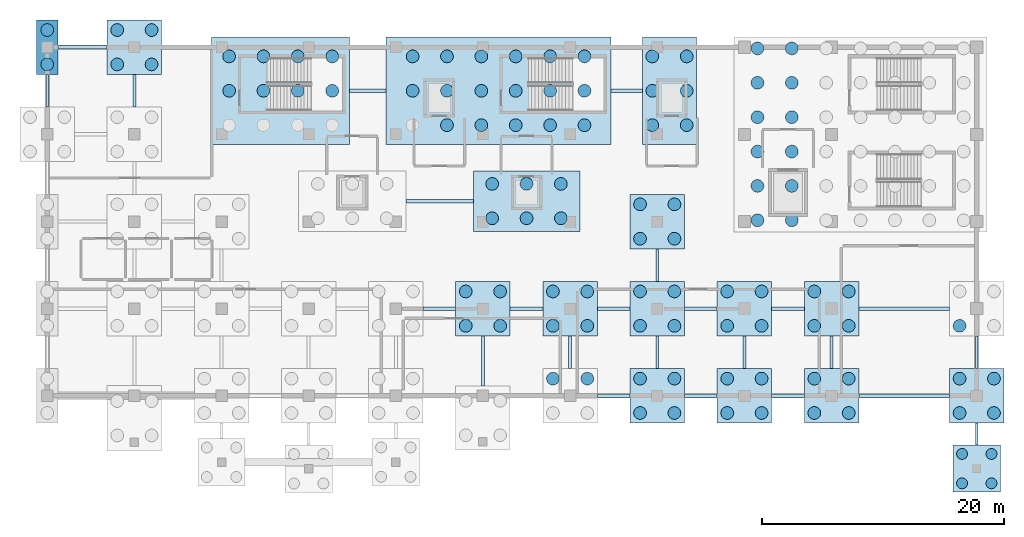
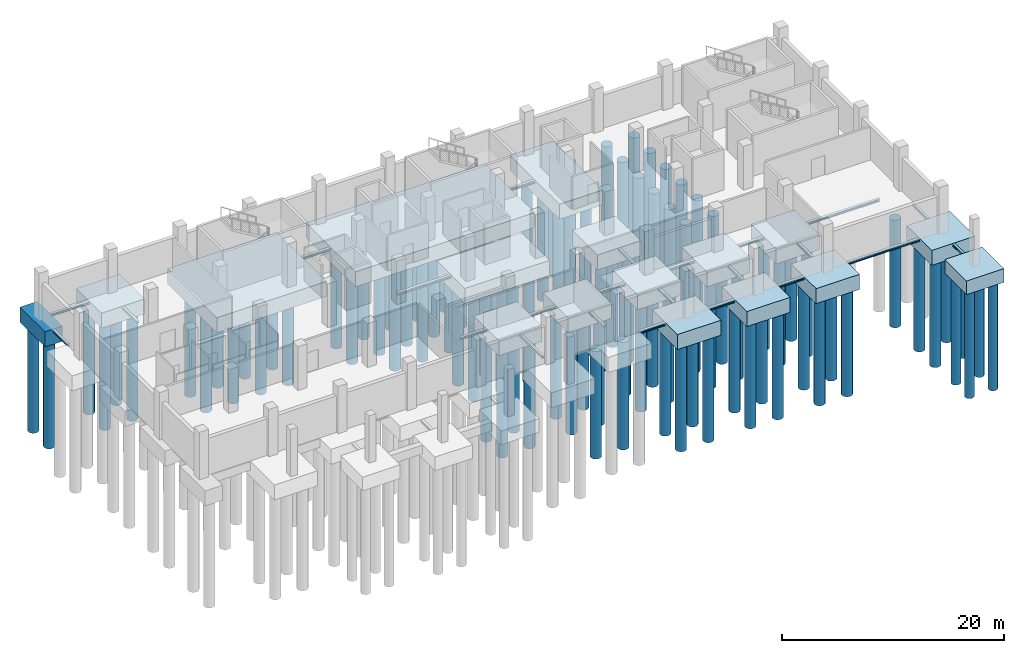
# One storey, part 2 of 10: 102 piles, 41 footings.
"""IFC4 building model written with IfcOpenShell, lengths in metres."""

from ifc_helpers import new_model, si_unit, direction, frame, origin, origin_2d, place, context, subcontext, project, spatial, rectangle, circle, i_section, extrude, material, material_profile, profile_set, type_object, element, save


model = new_model("IFC4")

# Units and contexts
model_context = context("Model", 3, precision=1e-05, world=origin(), true_north=direction((0.0, 1.0)))
body_context = subcontext(model_context, "Body", "Model", "MODEL_VIEW")
ifc_project = project(units=[si_unit("LENGTHUNIT", "METRE"), si_unit("AREAUNIT", "SQUARE_METRE"), si_unit("VOLUMEUNIT", "CUBIC_METRE"), si_unit("PLANEANGLEUNIT", "RADIAN"), si_unit("MASSUNIT", "GRAM", prefix="KILO")], contexts=[model_context])

# Site, building, storey
site_placement = place(None, origin())
site = spatial("IfcSite", under=ifc_project, at=site_placement, CompositionType="ELEMENT")
building_placement = place(site_placement, origin())
building = spatial("IfcBuilding", under=site, at=building_placement, Name="Cendralis Lancet Convention Centre", CompositionType="ELEMENT")
storey_placement = place(building_placement, frame((0.0, 0.0, -4.800048828125)))
storey = spatial("IfcBuildingStorey", under=building, at=storey_placement, Name="B1", CompositionType="ELEMENT", Elevation=-4.800048828125)

# Footings
ifc_material_1 = material(Name="Concrete G35 (C35/45)", Category="concrete")
footing_type_1 = type_object("IfcFootingType", Name="STR-FT-PC01", PredefinedType="PILE_CAP", material=ifc_material_1)
footing_1_placement = place(storey_placement, frame((132.0, 36.0, -2.0498046875), z_axis=(0.0, 0.0, 1.0), x_axis=(1.0, 0.0, 0.0)))
element("IfcFooting", 1, at=footing_1_placement, inside=storey, type_object=footing_type_1, Name="Pile Cap PC-01 #005", PredefinedType="PILE_CAP", context=body_context, shape_type="SweptSolid", body=[
    extrude(rectangle(XDim=1.800048828125, YDim=4.5, at=origin_2d()), origin(), (0.0, 0.0, 1.0), 1.64990234375),
])
footing_type_2 = type_object("IfcFootingType", Name="STR-FT-PC02", PredefinedType="PILE_CAP", material=ifc_material_1)
for number, where, z_axis, x_axis, name in (
    (2, (139.199951171875, 36.0, -2.0498046875), (0.0, 0.0, 1.0), (1.0, 0.0, 0.0), "Pile Cap PC-02 #010"),
    (3, (168.0, 14.39990234375, -2.0498046875), (0.0, 0.0, 1.0), (1.0, 0.0, 0.0), "Pile Cap PC-02 #024"),
    (4, (175.199951171875, 14.39990234375, -2.0498046875), (0.0, 0.0, 1.0), (1.0, 0.0, 0.0), "Pile Cap PC-02 #028"),
    (5, (182.39990234375, 7.199951171875, -2.0498046875), (0.0, 0.0, 1.0), (1.0, 0.0, 0.0), "Pile Cap PC-02 #029"),
    (6, (182.39990234375, 14.39990234375, -2.0498046875), (0.0, 0.0, 1.0), (1.0, 0.0, 0.0), "Pile Cap PC-02 #030"),
    (7, (182.39990234375, 21.60009765625, -2.0498046875), (0.0, 0.0, 1.0), (1.0, 0.0, 0.0), "Pile Cap PC-02 #031"),
    (8, (189.60009765625, 7.199951171875, -2.0498046875), (0.0, 0.0, 1.0), (1.0, 0.0, 0.0), "Pile Cap PC-02 #033"),
    (9, (189.60009765625, 14.39990234375, -2.0498046875), (0.0, 0.0, 1.0), (1.0, 0.0, 0.0), "Pile Cap PC-02 #034"),
    (10, (196.800048828125, 7.199951171875, -2.0498046875), (0.0, 0.0, 1.0), (1.0, 0.0, 0.0), "Pile Cap PC-02 #035"),
    (11, (196.800048828125, 14.39990234375, -2.0498046875), (0.0, 0.0, 1.0), (1.0, 0.0, 0.0), "Pile Cap PC-02 #036"),
    (12, (208.800048828125, 7.199951171875, -2.0498046875), (0.0, 0.0, 1.0), (1.0, 0.0, 0.0), "Pile Cap PC-02 #039"),
):
    element("IfcFooting", number, at=place(storey_placement, frame(where, z_axis=z_axis, x_axis=x_axis)), inside=storey, type_object=footing_type_2, Name=name, PredefinedType="PILE_CAP", context=body_context, shape_type="SweptSolid", body=[
        extrude(rectangle(XDim=4.5, YDim=4.5, at=origin_2d()), origin(), (0.0, 0.0, 1.0), 1.64990234375),
    ])
footing_type_3 = type_object("IfcFootingType", Name="STR-FT-PC04", PredefinedType="PILE_CAP", material=ifc_material_1)
footing_2_placement = place(storey_placement, frame((208.800048828125, 1.183837890625, -1.89990234375), z_axis=(0.0, 0.0, 1.0), x_axis=(1.0, 0.0, 0.0)))
element("IfcFooting", 13, at=footing_2_placement, inside=storey, type_object=footing_type_3, Name="Pile Cap PC-04 #038", PredefinedType="PILE_CAP", context=body_context, shape_type="SweptSolid", body=[
    extrude(rectangle(XDim=3.89990234375, YDim=3.89990234375, at=origin_2d()), origin(), (0.0, 0.0, 1.0), 1.5),
])
footing_type_4 = type_object("IfcFootingType", Name="STR-FT-PC05", PredefinedType="PILE_CAP", material=ifc_material_1)
footing_3_placement = place(storey_placement, frame((151.28759765625, 32.39990234375, -2.0498046875), z_axis=(0.0, 0.0, 1.0), x_axis=(1.0, 0.0, 0.0)))
element("IfcFooting", 14, at=footing_3_placement, inside=storey, type_object=footing_type_4, Name="Pile Cap PC-05 #015", PredefinedType="PILE_CAP", context=body_context, shape_type="SweptSolid", body=[
    extrude(rectangle(XDim=11.39990234375, YDim=8.89990234375, at=origin_2d()), origin(), (0.0, 0.0, 1.0), 1.64990234375),
])
footing_type_5 = type_object("IfcFootingType", Name="STR-FT-PC08", PredefinedType="PILE_CAP", material=ifc_material_1)
footing_4_placement = place(storey_placement, frame((169.28759765625, 32.39990234375, -2.0498046875), z_axis=(0.0, 0.0, 1.0), x_axis=(1.0, 0.0, 0.0)))
element("IfcFooting", 15, at=footing_4_placement, inside=storey, type_object=footing_type_5, Name="Pile Cap PC-08 #025", PredefinedType="PILE_CAP", context=body_context, shape_type="SweptSolid", body=[
    extrude(rectangle(XDim=18.60009765625, YDim=8.89990234375, at=origin_2d()), origin(), (0.0, 0.0, 1.0), 1.64990234375),
])
footing_type_6 = type_object("IfcFootingType", Name="STR-FT-PC09", PredefinedType="PILE_CAP", material=ifc_material_1)
footing_5_placement = place(storey_placement, frame((171.60009765625, 23.28759765625, -2.0498046875), z_axis=(0.0, 0.0, 1.0), x_axis=(1.0, 0.0, 0.0)))
element("IfcFooting", 16, at=footing_5_placement, inside=storey, type_object=footing_type_6, Name="Pile Cap PC-09 #026", PredefinedType="PILE_CAP", context=body_context, shape_type="SweptSolid", body=[
    extrude(rectangle(XDim=8.800048828125, YDim=5.0, at=origin_2d()), origin(), (0.0, 0.0, 1.0), 1.64990234375),
])
footing_type_7 = type_object("IfcFootingType", Name="STR-FT-PC10", PredefinedType="PILE_CAP", material=ifc_material_1)
footing_6_placement = place(storey_placement, frame((183.41259765625, 32.39990234375, -2.0498046875), z_axis=(0.0, 0.0, 1.0), x_axis=(1.0, 0.0, 0.0)))
element("IfcFooting", 17, at=footing_6_placement, inside=storey, type_object=footing_type_7, Name="Pile Cap PC-10 #032", PredefinedType="PILE_CAP", context=body_context, shape_type="SweptSolid", body=[
    extrude(rectangle(XDim=4.5, YDim=8.89990234375, at=origin_2d()), origin(), (0.0, 0.0, 1.0), 1.64990234375),
])
ifc_material_2 = material(Name="Steel S355", Category="steel")
ifc_material_profile_1 = material_profile(ifc_material_2, i_section(OverallWidth=0.280029296875, OverallDepth=0.280029296875, WebThickness=0.010498046875, FlangeThickness=0.01806640625, FilletRadius=0.02392578125, at=origin_2d()), Name="HEB 280")
ifc_profile_set_1 = profile_set([ifc_material_profile_1], Name="Steel S355")
footing_type_8 = type_object("IfcFootingType", Name="STR-GB-GB05", PredefinedType="FOOTING_BEAM", material=ifc_profile_set_1)
footing_7_placement = place(storey_placement, frame((177.449951171875, 7.199951171875, -0.5400390625), z_axis=(1.0, 0.0, 0.0), x_axis=(0.0, 1.0, 0.0)))
element("IfcFooting", 18, at=footing_7_placement, inside=storey, type_object=footing_type_8, Name="Ground Tie Beam GB05 X-006", PredefinedType="FOOTING_BEAM", context=body_context, shape_type="SweptSolid", body=[
    extrude(i_section(OverallWidth=0.280029296875, OverallDepth=0.280029296875, WebThickness=0.010498046875, FlangeThickness=0.01806640625, FilletRadius=0.02392578125, at=origin_2d()), origin(), (0.0, 0.0, 1.0), 2.699951171875),
])
footing_8_placement = place(storey_placement, frame((184.64990234375, 7.199951171875, -0.5400390625), z_axis=(1.0, 0.0, 0.0), x_axis=(0.0, 1.0, 0.0)))
element("IfcFooting", 19, at=footing_8_placement, inside=storey, type_object=footing_type_8, Name="Ground Tie Beam GB05 X-007", PredefinedType="FOOTING_BEAM", context=body_context, shape_type="SweptSolid", body=[
    extrude(i_section(OverallWidth=0.280029296875, OverallDepth=0.280029296875, WebThickness=0.010498046875, FlangeThickness=0.01806640625, FilletRadius=0.02392578125, at=origin_2d()), origin(), (0.0, 0.0, 1.0), 2.7001953125),
])
footing_9_placement = place(storey_placement, frame((191.85009765625, 7.199951171875, -0.5400390625), z_axis=(1.0, 0.0, 0.0), x_axis=(0.0, 1.0, 0.0)))
element("IfcFooting", 20, at=footing_9_placement, inside=storey, type_object=footing_type_8, Name="Ground Tie Beam GB05 X-008", PredefinedType="FOOTING_BEAM", context=body_context, shape_type="SweptSolid", body=[
    extrude(i_section(OverallWidth=0.280029296875, OverallDepth=0.280029296875, WebThickness=0.010498046875, FlangeThickness=0.01806640625, FilletRadius=0.02392578125, at=origin_2d()), origin(), (0.0, 0.0, 1.0), 2.699951171875),
])
footing_10_placement = place(storey_placement, frame((199.050048828125, 7.199951171875, -0.5400390625), z_axis=(1.0, 0.0, 0.0), x_axis=(0.0, 1.0, 0.0)))
element("IfcFooting", 21, at=footing_10_placement, inside=storey, type_object=footing_type_8, Name="Ground Tie Beam GB05 X-009", PredefinedType="FOOTING_BEAM", context=body_context, shape_type="SweptSolid", body=[
    extrude(i_section(OverallWidth=0.280029296875, OverallDepth=0.280029296875, WebThickness=0.010498046875, FlangeThickness=0.01806640625, FilletRadius=0.02392578125, at=origin_2d()), origin(), (0.0, 0.0, 1.0), 7.5),
])
for number, where, z_axis, x_axis, name in (
    (22, (163.050048828125, 14.39990234375, -0.5400390625), (1.0, 0.0, 0.0), (0.0, 1.0, 0.0), "Ground Tie Beam GB05 X-014"),
    (23, (170.25, 14.39990234375, -0.5400390625), (1.0, 0.0, 0.0), (0.0, 1.0, 0.0), "Ground Tie Beam GB05 X-015"),
    (24, (177.449951171875, 14.39990234375, -0.5400390625), (1.0, 0.0, 0.0), (0.0, 1.0, 0.0), "Ground Tie Beam GB05 X-016"),
):
    element("IfcFooting", number, at=place(storey_placement, frame(where, z_axis=z_axis, x_axis=x_axis)), inside=storey, type_object=footing_type_8, Name=name, PredefinedType="FOOTING_BEAM", context=body_context, shape_type="SweptSolid", body=[
        extrude(i_section(OverallWidth=0.280029296875, OverallDepth=0.280029296875, WebThickness=0.010498046875, FlangeThickness=0.01806640625, FilletRadius=0.02392578125, at=origin_2d()), origin(), (0.0, 0.0, 1.0), 2.699951171875),
    ])
footing_11_placement = place(storey_placement, frame((184.64990234375, 14.39990234375, -0.5400390625), z_axis=(1.0, 0.0, 0.0), x_axis=(0.0, 1.0, 0.0)))
element("IfcFooting", 25, at=footing_11_placement, inside=storey, type_object=footing_type_8, Name="Ground Tie Beam GB05 X-017", PredefinedType="FOOTING_BEAM", context=body_context, shape_type="SweptSolid", body=[
    extrude(i_section(OverallWidth=0.280029296875, OverallDepth=0.280029296875, WebThickness=0.010498046875, FlangeThickness=0.01806640625, FilletRadius=0.02392578125, at=origin_2d()), origin(), (0.0, 0.0, 1.0), 2.7001953125),
])
footing_12_placement = place(storey_placement, frame((191.85009765625, 14.39990234375, -0.5400390625), z_axis=(1.0, 0.0, 0.0), x_axis=(0.0, 1.0, 0.0)))
element("IfcFooting", 26, at=footing_12_placement, inside=storey, type_object=footing_type_8, Name="Ground Tie Beam GB05 X-018", PredefinedType="FOOTING_BEAM", context=body_context, shape_type="SweptSolid", body=[
    extrude(i_section(OverallWidth=0.280029296875, OverallDepth=0.280029296875, WebThickness=0.010498046875, FlangeThickness=0.01806640625, FilletRadius=0.02392578125, at=origin_2d()), origin(), (0.0, 0.0, 1.0), 2.699951171875),
])
footing_13_placement = place(storey_placement, frame((199.050048828125, 14.39990234375, -0.5400390625), z_axis=(1.0, 0.0, 0.0), x_axis=(0.0, 1.0, 0.0)))
element("IfcFooting", 27, at=footing_13_placement, inside=storey, type_object=footing_type_8, Name="Ground Tie Beam GB05 X-019", PredefinedType="FOOTING_BEAM", context=body_context, shape_type="SweptSolid", body=[
    extrude(i_section(OverallWidth=0.280029296875, OverallDepth=0.280029296875, WebThickness=0.010498046875, FlangeThickness=0.01806640625, FilletRadius=0.02392578125, at=origin_2d()), origin(), (0.0, 0.0, 1.0), 7.5),
])
footing_14_placement = place(storey_placement, frame((161.64990234375, 23.28759765625, -0.5400390625), z_axis=(1.0, 0.0, 0.0), x_axis=(0.0, 1.0, 0.0)))
element("IfcFooting", 28, at=footing_14_placement, inside=storey, type_object=footing_type_8, Name="Ground Tie Beam GB05 X-022", PredefinedType="FOOTING_BEAM", context=body_context, shape_type="SweptSolid", body=[
    extrude(i_section(OverallWidth=0.280029296875, OverallDepth=0.280029296875, WebThickness=0.010498046875, FlangeThickness=0.01806640625, FilletRadius=0.02392578125, at=origin_2d()), origin(), (0.0, 0.0, 1.0), 5.550048828125),
])
footing_15_placement = place(storey_placement, frame((156.987548828125, 32.39990234375, -0.5400390625), z_axis=(1.0, 0.0, 0.0), x_axis=(0.0, 1.0, 0.0)))
element("IfcFooting", 29, at=footing_15_placement, inside=storey, type_object=footing_type_8, Name="Ground Tie Beam GB05 X-024", PredefinedType="FOOTING_BEAM", context=body_context, shape_type="SweptSolid", body=[
    extrude(i_section(OverallWidth=0.280029296875, OverallDepth=0.280029296875, WebThickness=0.010498046875, FlangeThickness=0.01806640625, FilletRadius=0.02392578125, at=origin_2d()), origin(), (0.0, 0.0, 1.0), 3.0),
])
footing_16_placement = place(storey_placement, frame((178.58740234375, 32.39990234375, -0.5400390625), z_axis=(1.0, 0.0, 0.0), x_axis=(0.0, 1.0, 0.0)))
element("IfcFooting", 30, at=footing_16_placement, inside=storey, type_object=footing_type_8, Name="Ground Tie Beam GB05 X-025", PredefinedType="FOOTING_BEAM", context=body_context, shape_type="SweptSolid", body=[
    extrude(i_section(OverallWidth=0.280029296875, OverallDepth=0.280029296875, WebThickness=0.010498046875, FlangeThickness=0.01806640625, FilletRadius=0.02392578125, at=origin_2d()), origin(), (0.0, 0.0, 1.0), 2.5751953125),
])
footing_17_placement = place(storey_placement, frame((132.89990234375, 36.0, -0.5400390625), z_axis=(1.0, 0.0, 0.0), x_axis=(0.0, 1.0, 0.0)))
element("IfcFooting", 31, at=footing_17_placement, inside=storey, type_object=footing_type_8, Name="Ground Tie Beam GB05 X-026", PredefinedType="FOOTING_BEAM", context=body_context, shape_type="SweptSolid", body=[
    extrude(i_section(OverallWidth=0.280029296875, OverallDepth=0.280029296875, WebThickness=0.010498046875, FlangeThickness=0.01806640625, FilletRadius=0.02392578125, at=origin_2d()), origin(), (0.0, 0.0, 1.0), 4.050048828125),
])
ifc_material_profile_2 = material_profile(ifc_material_2, i_section(OverallWidth=0.239990234375, OverallDepth=0.239990234375, WebThickness=0.010009765625, FlangeThickness=0.01708984375, FilletRadius=0.02099609375, at=origin_2d()), Name="HEB 240")
ifc_profile_set_2 = profile_set([ifc_material_profile_2], Name="Steel S355")
footing_type_9 = type_object("IfcFootingType", Name="STR-GB-GB06", PredefinedType="FOOTING_BEAM", material=ifc_profile_set_2)
for number, where, z_axis, x_axis, name in (
    (32, (132.0, 31.050048828125, -0.52001953125), (0.0, 1.0, 0.0), (-1.0, 0.0, 0.0), "Ground Tie Beam GB06 Y-134"),
    (33, (139.199951171875, 31.050048828125, -0.52001953125), (0.0, 1.0, 0.0), (-1.0, 0.0, 0.0), "Ground Tie Beam GB06 Y-138"),
):
    element("IfcFooting", number, at=place(storey_placement, frame(where, z_axis=z_axis, x_axis=x_axis)), inside=storey, type_object=footing_type_9, Name=name, PredefinedType="FOOTING_BEAM", context=body_context, shape_type="SweptSolid", body=[
        extrude(i_section(OverallWidth=0.239990234375, OverallDepth=0.239990234375, WebThickness=0.010009765625, FlangeThickness=0.01708984375, FilletRadius=0.02099609375, at=origin_2d()), origin(), (0.0, 0.0, 1.0), 2.699951171875),
    ])
footing_18_placement = place(storey_placement, frame((168.0, 8.010498046875, -0.52001953125), z_axis=(0.0, 1.0, 0.0), x_axis=(-1.0, 0.0, 0.0)))
element("IfcFooting", 34, at=footing_18_placement, inside=storey, type_object=footing_type_9, Name="Ground Tie Beam GB06 Y-146", PredefinedType="FOOTING_BEAM", context=body_context, shape_type="SweptSolid", body=[
    extrude(i_section(OverallWidth=0.239990234375, OverallDepth=0.239990234375, WebThickness=0.010009765625, FlangeThickness=0.01708984375, FilletRadius=0.02099609375, at=origin_2d()), origin(), (0.0, 0.0, 1.0), 4.139404296875),
])
for number, where, z_axis, x_axis, name in (
    (35, (175.199951171875, 9.449951171875, -0.52001953125), (0.0, 1.0, 0.0), (-1.0, 0.0, 0.0), "Ground Tie Beam GB06 Y-147"),
    (36, (182.39990234375, 9.449951171875, -0.52001953125), (0.0, 1.0, 0.0), (-1.0, 0.0, 0.0), "Ground Tie Beam GB06 Y-148"),
):
    element("IfcFooting", number, at=place(storey_placement, frame(where, z_axis=z_axis, x_axis=x_axis)), inside=storey, type_object=footing_type_9, Name=name, PredefinedType="FOOTING_BEAM", context=body_context, shape_type="SweptSolid", body=[
        extrude(i_section(OverallWidth=0.239990234375, OverallDepth=0.239990234375, WebThickness=0.010009765625, FlangeThickness=0.01708984375, FilletRadius=0.02099609375, at=origin_2d()), origin(), (0.0, 0.0, 1.0), 2.699951171875),
    ])
footing_19_placement = place(storey_placement, frame((182.39990234375, 16.64990234375, -0.52001953125), z_axis=(0.0, 1.0, 0.0), x_axis=(-1.0, 0.0, 0.0)))
element("IfcFooting", 37, at=footing_19_placement, inside=storey, type_object=footing_type_9, Name="Ground Tie Beam GB06 Y-149", PredefinedType="FOOTING_BEAM", context=body_context, shape_type="SweptSolid", body=[
    extrude(i_section(OverallWidth=0.239990234375, OverallDepth=0.239990234375, WebThickness=0.010009765625, FlangeThickness=0.01708984375, FilletRadius=0.02099609375, at=origin_2d()), origin(), (0.0, 0.0, 1.0), 2.7001953125),
])
for number, where, z_axis, x_axis, name in (
    (38, (189.60009765625, 9.449951171875, -0.52001953125), (0.0, 1.0, 0.0), (-1.0, 0.0, 0.0), "Ground Tie Beam GB06 Y-150"),
    (39, (196.800048828125, 9.449951171875, -0.52001953125), (0.0, 1.0, 0.0), (-1.0, 0.0, 0.0), "Ground Tie Beam GB06 Y-151"),
):
    element("IfcFooting", number, at=place(storey_placement, frame(where, z_axis=z_axis, x_axis=x_axis)), inside=storey, type_object=footing_type_9, Name=name, PredefinedType="FOOTING_BEAM", context=body_context, shape_type="SweptSolid", body=[
        extrude(i_section(OverallWidth=0.239990234375, OverallDepth=0.239990234375, WebThickness=0.010009765625, FlangeThickness=0.01708984375, FilletRadius=0.02099609375, at=origin_2d()), origin(), (0.0, 0.0, 1.0), 2.699951171875),
    ])
footing_20_placement = place(storey_placement, frame((208.800048828125, 3.1337890625, -0.52001953125), z_axis=(0.0, 1.0, 0.0), x_axis=(-1.0, 0.0, 0.0)))
element("IfcFooting", 40, at=footing_20_placement, inside=storey, type_object=footing_type_9, Name="Ground Tie Beam GB06 Y-152", PredefinedType="FOOTING_BEAM", context=body_context, shape_type="SweptSolid", body=[
    extrude(i_section(OverallWidth=0.239990234375, OverallDepth=0.239990234375, WebThickness=0.010009765625, FlangeThickness=0.01708984375, FilletRadius=0.02099609375, at=origin_2d()), origin(), (0.0, 0.0, 1.0), 1.816162109375),
])
footing_21_placement = place(storey_placement, frame((208.800048828125, 9.449951171875, -0.52001953125), z_axis=(0.0, 1.0, 0.0), x_axis=(-1.0, 0.0, 0.0)))
element("IfcFooting", 41, at=footing_21_placement, inside=storey, type_object=footing_type_9, Name="Ground Tie Beam GB06 Y-153", PredefinedType="FOOTING_BEAM", context=body_context, shape_type="SweptSolid", body=[
    extrude(i_section(OverallWidth=0.239990234375, OverallDepth=0.239990234375, WebThickness=0.010009765625, FlangeThickness=0.01708984375, FilletRadius=0.02099609375, at=origin_2d()), origin(), (0.0, 0.0, 1.0), 2.699951171875),
])

# Piles
ifc_material_profile_3 = material_profile(ifc_material_1, circle(Radius=0.52490234375, at=origin_2d()), Name="BORED PILE D1050")
ifc_profile_set_3 = profile_set([ifc_material_profile_3], Name="Concrete G35 (C35/45)")
pile_type_1 = type_object("IfcPileType", Name="STR-PL-P1050", PredefinedType="BORED", material=ifc_profile_set_3)
for number, where, z_axis, x_axis, name in (
    (42, (132.0, 34.580078125, -1.89990234375), (0.0, 0.0, -1.0), (1.0, 0.0, 0.0), "Bored Pile P-1050 FT2-PC-01-005-P1"),
    (43, (132.0, 37.419921875, -1.89990234375), (0.0, 0.0, -1.0), (1.0, 0.0, 0.0), "Bored Pile P-1050 FT2-PC-01-005-P2"),
    (44, (137.780029296875, 34.580078125, -1.89990234375), (0.0, 0.0, -1.0), (1.0, 0.0, 0.0), "Bored Pile P-1050 FT2-PC-02-010-P1"),
    (45, (137.780029296875, 37.419921875, -1.89990234375), (0.0, 0.0, -1.0), (1.0, 0.0, 0.0), "Bored Pile P-1050 FT2-PC-02-010-P2"),
    (46, (140.6201171875, 34.580078125, -1.89990234375), (0.0, 0.0, -1.0), (1.0, 0.0, 0.0), "Bored Pile P-1050 FT2-PC-02-010-P3"),
    (47, (140.6201171875, 37.419921875, -1.89990234375), (0.0, 0.0, -1.0), (1.0, 0.0, 0.0), "Bored Pile P-1050 FT2-PC-02-010-P4"),
    (48, (147.027587890625, 32.39990234375, -1.89990234375), (0.0, 0.0, -1.0), (1.0, 0.0, 0.0), "Bored Pile P-1050 FT2-PC-05-015-P2"),
    (49, (147.027587890625, 35.239990234375, -1.89990234375), (0.0, 0.0, -1.0), (1.0, 0.0, 0.0), "Bored Pile P-1050 FT2-PC-05-015-P3"),
    (50, (149.867431640625, 32.39990234375, -1.89990234375), (0.0, 0.0, -1.0), (1.0, 0.0, 0.0), "Bored Pile P-1050 FT2-PC-05-015-P5"),
    (51, (149.867431640625, 35.239990234375, -1.89990234375), (0.0, 0.0, -1.0), (1.0, 0.0, 0.0), "Bored Pile P-1050 FT2-PC-05-015-P6"),
    (52, (152.70751953125, 32.39990234375, -1.89990234375), (0.0, 0.0, -1.0), (1.0, 0.0, 0.0), "Bored Pile P-1050 FT2-PC-05-015-P8"),
    (53, (152.70751953125, 35.239990234375, -1.89990234375), (0.0, 0.0, -1.0), (1.0, 0.0, 0.0), "Bored Pile P-1050 FT2-PC-05-015-P9"),
    (54, (155.547607421875, 32.39990234375, -1.89990234375), (0.0, 0.0, -1.0), (1.0, 0.0, 0.0), "Bored Pile P-1050 FT2-PC-05-015-P11"),
    (55, (155.547607421875, 35.239990234375, -1.89990234375), (0.0, 0.0, -1.0), (1.0, 0.0, 0.0), "Bored Pile P-1050 FT2-PC-05-015-P12"),
    (56, (166.580078125, 12.97998046875, -1.89990234375), (0.0, 0.0, -1.0), (1.0, 0.0, 0.0), "Bored Pile P-1050 FT2-PC-02-024-P1"),
    (57, (166.580078125, 15.820068359375, -1.89990234375), (0.0, 0.0, -1.0), (1.0, 0.0, 0.0), "Bored Pile P-1050 FT2-PC-02-024-P2"),
    (58, (169.419921875, 12.97998046875, -1.89990234375), (0.0, 0.0, -1.0), (1.0, 0.0, 0.0), "Bored Pile P-1050 FT2-PC-02-024-P3"),
    (59, (169.419921875, 15.820068359375, -1.89990234375), (0.0, 0.0, -1.0), (1.0, 0.0, 0.0), "Bored Pile P-1050 FT2-PC-02-024-P4"),
    (60, (162.1875, 32.39990234375, -1.89990234375), (0.0, 0.0, -1.0), (1.0, 0.0, 0.0), "Bored Pile P-1050 FT2-PC-08-025-P2"),
    (61, (162.1875, 35.239990234375, -1.89990234375), (0.0, 0.0, -1.0), (1.0, 0.0, 0.0), "Bored Pile P-1050 FT2-PC-08-025-P3"),
    (62, (165.027587890625, 29.56005859375, -1.89990234375), (0.0, 0.0, -1.0), (1.0, 0.0, 0.0), "Bored Pile P-1050 FT2-PC-08-025-P4"),
    (63, (165.027587890625, 32.39990234375, -1.89990234375), (0.0, 0.0, -1.0), (1.0, 0.0, 0.0), "Bored Pile P-1050 FT2-PC-08-025-P5"),
    (64, (165.027587890625, 35.239990234375, -1.89990234375), (0.0, 0.0, -1.0), (1.0, 0.0, 0.0), "Bored Pile P-1050 FT2-PC-08-025-P6"),
    (65, (167.867431640625, 29.56005859375, -1.89990234375), (0.0, 0.0, -1.0), (1.0, 0.0, 0.0), "Bored Pile P-1050 FT2-PC-08-025-P7"),
    (66, (167.867431640625, 32.39990234375, -1.89990234375), (0.0, 0.0, -1.0), (1.0, 0.0, 0.0), "Bored Pile P-1050 FT2-PC-08-025-P8"),
    (67, (167.867431640625, 35.239990234375, -1.89990234375), (0.0, 0.0, -1.0), (1.0, 0.0, 0.0), "Bored Pile P-1050 FT2-PC-08-025-P9"),
    (68, (170.70751953125, 29.56005859375, -1.89990234375), (0.0, 0.0, -1.0), (1.0, 0.0, 0.0), "Bored Pile P-1050 FT2-PC-08-025-P10"),
    (69, (170.70751953125, 32.39990234375, -1.89990234375), (0.0, 0.0, -1.0), (1.0, 0.0, 0.0), "Bored Pile P-1050 FT2-PC-08-025-P11"),
    (70, (170.70751953125, 35.239990234375, -1.89990234375), (0.0, 0.0, -1.0), (1.0, 0.0, 0.0), "Bored Pile P-1050 FT2-PC-08-025-P12"),
    (71, (173.547607421875, 29.56005859375, -1.89990234375), (0.0, 0.0, -1.0), (1.0, 0.0, 0.0), "Bored Pile P-1050 FT2-PC-08-025-P13"),
    (72, (173.547607421875, 32.39990234375, -1.89990234375), (0.0, 0.0, -1.0), (1.0, 0.0, 0.0), "Bored Pile P-1050 FT2-PC-08-025-P14"),
    (73, (173.547607421875, 35.239990234375, -1.89990234375), (0.0, 0.0, -1.0), (1.0, 0.0, 0.0), "Bored Pile P-1050 FT2-PC-08-025-P15"),
    (74, (176.387451171875, 29.56005859375, -1.89990234375), (0.0, 0.0, -1.0), (1.0, 0.0, 0.0), "Bored Pile P-1050 FT2-PC-08-025-P16"),
    (75, (176.387451171875, 32.39990234375, -1.89990234375), (0.0, 0.0, -1.0), (1.0, 0.0, 0.0), "Bored Pile P-1050 FT2-PC-08-025-P17"),
    (76, (176.387451171875, 35.239990234375, -1.89990234375), (0.0, 0.0, -1.0), (1.0, 0.0, 0.0), "Bored Pile P-1050 FT2-PC-08-025-P18"),
    (77, (168.760009765625, 21.867431640625, -1.89990234375), (0.0, 0.0, -1.0), (1.0, 0.0, 0.0), "Bored Pile P-1050 FT2-PC-09-026-P1"),
    (78, (168.760009765625, 24.70751953125, -1.89990234375), (0.0, 0.0, -1.0), (1.0, 0.0, 0.0), "Bored Pile P-1050 FT2-PC-09-026-P2"),
    (79, (171.60009765625, 21.867431640625, -1.89990234375), (0.0, 0.0, -1.0), (1.0, 0.0, 0.0), "Bored Pile P-1050 FT2-PC-09-026-P3"),
    (80, (171.60009765625, 24.70751953125, -1.89990234375), (0.0, 0.0, -1.0), (1.0, 0.0, 0.0), "Bored Pile P-1050 FT2-PC-09-026-P4"),
    (81, (174.43994140625, 21.867431640625, -1.89990234375), (0.0, 0.0, -1.0), (1.0, 0.0, 0.0), "Bored Pile P-1050 FT2-PC-09-026-P5"),
    (82, (174.43994140625, 24.70751953125, -1.89990234375), (0.0, 0.0, -1.0), (1.0, 0.0, 0.0), "Bored Pile P-1050 FT2-PC-09-026-P6"),
    (83, (173.780029296875, 8.6201171875, -1.89990234375), (0.0, 0.0, -1.0), (1.0, 0.0, 0.0), "Bored Pile P-1050 FT2-PC-02-027-P2"),
    (84, (176.6201171875, 8.6201171875, -1.89990234375), (0.0, 0.0, -1.0), (1.0, 0.0, 0.0), "Bored Pile P-1050 FT2-PC-02-027-P4"),
    (85, (173.780029296875, 12.97998046875, -1.89990234375), (0.0, 0.0, -1.0), (1.0, 0.0, 0.0), "Bored Pile P-1050 FT2-PC-02-028-P1"),
    (86, (173.780029296875, 15.820068359375, -1.89990234375), (0.0, 0.0, -1.0), (1.0, 0.0, 0.0), "Bored Pile P-1050 FT2-PC-02-028-P2"),
    (87, (176.6201171875, 12.97998046875, -1.89990234375), (0.0, 0.0, -1.0), (1.0, 0.0, 0.0), "Bored Pile P-1050 FT2-PC-02-028-P3"),
    (88, (176.6201171875, 15.820068359375, -1.89990234375), (0.0, 0.0, -1.0), (1.0, 0.0, 0.0), "Bored Pile P-1050 FT2-PC-02-028-P4"),
    (89, (180.97998046875, 5.780029296875, -1.89990234375), (0.0, 0.0, -1.0), (1.0, 0.0, 0.0), "Bored Pile P-1050 FT2-PC-02-029-P1"),
    (90, (180.97998046875, 8.6201171875, -1.89990234375), (0.0, 0.0, -1.0), (1.0, 0.0, 0.0), "Bored Pile P-1050 FT2-PC-02-029-P2"),
    (91, (183.820068359375, 5.780029296875, -1.89990234375), (0.0, 0.0, -1.0), (1.0, 0.0, 0.0), "Bored Pile P-1050 FT2-PC-02-029-P3"),
    (92, (183.820068359375, 8.6201171875, -1.89990234375), (0.0, 0.0, -1.0), (1.0, 0.0, 0.0), "Bored Pile P-1050 FT2-PC-02-029-P4"),
    (93, (180.97998046875, 12.97998046875, -1.89990234375), (0.0, 0.0, -1.0), (1.0, 0.0, 0.0), "Bored Pile P-1050 FT2-PC-02-030-P1"),
    (94, (180.97998046875, 15.820068359375, -1.89990234375), (0.0, 0.0, -1.0), (1.0, 0.0, 0.0), "Bored Pile P-1050 FT2-PC-02-030-P2"),
    (95, (183.820068359375, 12.97998046875, -1.89990234375), (0.0, 0.0, -1.0), (1.0, 0.0, 0.0), "Bored Pile P-1050 FT2-PC-02-030-P3"),
    (96, (183.820068359375, 15.820068359375, -1.89990234375), (0.0, 0.0, -1.0), (1.0, 0.0, 0.0), "Bored Pile P-1050 FT2-PC-02-030-P4"),
    (97, (180.97998046875, 20.179931640625, -1.89990234375), (0.0, 0.0, -1.0), (1.0, 0.0, 0.0), "Bored Pile P-1050 FT2-PC-02-031-P1"),
    (98, (180.97998046875, 23.02001953125, -1.89990234375), (0.0, 0.0, -1.0), (1.0, 0.0, 0.0), "Bored Pile P-1050 FT2-PC-02-031-P2"),
    (99, (183.820068359375, 20.179931640625, -1.89990234375), (0.0, 0.0, -1.0), (1.0, 0.0, 0.0), "Bored Pile P-1050 FT2-PC-02-031-P3"),
    (100, (183.820068359375, 23.02001953125, -1.89990234375), (0.0, 0.0, -1.0), (1.0, 0.0, 0.0), "Bored Pile P-1050 FT2-PC-02-031-P4"),
    (101, (181.992431640625, 29.56005859375, -1.89990234375), (0.0, 0.0, -1.0), (1.0, 0.0, 0.0), "Bored Pile P-1050 FT2-PC-10-032-P1"),
    (102, (181.992431640625, 32.39990234375, -1.89990234375), (0.0, 0.0, -1.0), (1.0, 0.0, 0.0), "Bored Pile P-1050 FT2-PC-10-032-P2"),
    (103, (181.992431640625, 35.239990234375, -1.89990234375), (0.0, 0.0, -1.0), (1.0, 0.0, 0.0), "Bored Pile P-1050 FT2-PC-10-032-P3"),
    (104, (184.83251953125, 29.56005859375, -1.89990234375), (0.0, 0.0, -1.0), (1.0, 0.0, 0.0), "Bored Pile P-1050 FT2-PC-10-032-P4"),
    (105, (184.83251953125, 32.39990234375, -1.89990234375), (0.0, 0.0, -1.0), (1.0, 0.0, 0.0), "Bored Pile P-1050 FT2-PC-10-032-P5"),
    (106, (184.83251953125, 35.239990234375, -1.89990234375), (0.0, 0.0, -1.0), (1.0, 0.0, 0.0), "Bored Pile P-1050 FT2-PC-10-032-P6"),
    (107, (188.179931640625, 5.780029296875, -1.89990234375), (0.0, 0.0, -1.0), (1.0, 0.0, 0.0), "Bored Pile P-1050 FT2-PC-02-033-P1"),
    (108, (188.179931640625, 8.6201171875, -1.89990234375), (0.0, 0.0, -1.0), (1.0, 0.0, 0.0), "Bored Pile P-1050 FT2-PC-02-033-P2"),
    (109, (191.02001953125, 5.780029296875, -1.89990234375), (0.0, 0.0, -1.0), (1.0, 0.0, 0.0), "Bored Pile P-1050 FT2-PC-02-033-P3"),
    (110, (191.02001953125, 8.6201171875, -1.89990234375), (0.0, 0.0, -1.0), (1.0, 0.0, 0.0), "Bored Pile P-1050 FT2-PC-02-033-P4"),
    (111, (188.179931640625, 12.97998046875, -1.89990234375), (0.0, 0.0, -1.0), (1.0, 0.0, 0.0), "Bored Pile P-1050 FT2-PC-02-034-P1"),
    (112, (188.179931640625, 15.820068359375, -1.89990234375), (0.0, 0.0, -1.0), (1.0, 0.0, 0.0), "Bored Pile P-1050 FT2-PC-02-034-P2"),
    (113, (191.02001953125, 12.97998046875, -1.89990234375), (0.0, 0.0, -1.0), (1.0, 0.0, 0.0), "Bored Pile P-1050 FT2-PC-02-034-P3"),
    (114, (191.02001953125, 15.820068359375, -1.89990234375), (0.0, 0.0, -1.0), (1.0, 0.0, 0.0), "Bored Pile P-1050 FT2-PC-02-034-P4"),
    (115, (195.3798828125, 5.780029296875, -1.89990234375), (0.0, 0.0, -1.0), (1.0, 0.0, 0.0), "Bored Pile P-1050 FT2-PC-02-035-P1"),
    (116, (195.3798828125, 8.6201171875, -1.89990234375), (0.0, 0.0, -1.0), (1.0, 0.0, 0.0), "Bored Pile P-1050 FT2-PC-02-035-P2"),
    (117, (198.219970703125, 5.780029296875, -1.89990234375), (0.0, 0.0, -1.0), (1.0, 0.0, 0.0), "Bored Pile P-1050 FT2-PC-02-035-P3"),
    (118, (198.219970703125, 8.6201171875, -1.89990234375), (0.0, 0.0, -1.0), (1.0, 0.0, 0.0), "Bored Pile P-1050 FT2-PC-02-035-P4"),
    (119, (195.3798828125, 12.97998046875, -1.89990234375), (0.0, 0.0, -1.0), (1.0, 0.0, 0.0), "Bored Pile P-1050 FT2-PC-02-036-P1"),
    (120, (195.3798828125, 15.820068359375, -1.89990234375), (0.0, 0.0, -1.0), (1.0, 0.0, 0.0), "Bored Pile P-1050 FT2-PC-02-036-P2"),
    (121, (198.219970703125, 12.97998046875, -1.89990234375), (0.0, 0.0, -1.0), (1.0, 0.0, 0.0), "Bored Pile P-1050 FT2-PC-02-036-P3"),
    (122, (198.219970703125, 15.820068359375, -1.89990234375), (0.0, 0.0, -1.0), (1.0, 0.0, 0.0), "Bored Pile P-1050 FT2-PC-02-036-P4"),
    (123, (190.679931640625, 21.699951171875, -1.89990234375), (0.0, 0.0, -1.0), (1.0, 0.0, 0.0), "Bored Pile P-1050 FT2-PC-11-037-P1"),
    (124, (190.679931640625, 24.5400390625, -1.89990234375), (0.0, 0.0, -1.0), (1.0, 0.0, 0.0), "Bored Pile P-1050 FT2-PC-11-037-P2"),
    (125, (190.679931640625, 27.3798828125, -1.89990234375), (0.0, 0.0, -1.0), (1.0, 0.0, 0.0), "Bored Pile P-1050 FT2-PC-11-037-P3"),
    (126, (190.679931640625, 30.219970703125, -1.89990234375), (0.0, 0.0, -1.0), (1.0, 0.0, 0.0), "Bored Pile P-1050 FT2-PC-11-037-P4"),
    (127, (190.679931640625, 33.06005859375, -1.89990234375), (0.0, 0.0, -1.0), (1.0, 0.0, 0.0), "Bored Pile P-1050 FT2-PC-11-037-P5"),
    (128, (190.679931640625, 35.89990234375, -1.89990234375), (0.0, 0.0, -1.0), (1.0, 0.0, 0.0), "Bored Pile P-1050 FT2-PC-11-037-P6"),
    (129, (193.52001953125, 21.699951171875, -1.89990234375), (0.0, 0.0, -1.0), (1.0, 0.0, 0.0), "Bored Pile P-1050 FT2-PC-11-037-P7"),
    (130, (193.52001953125, 24.5400390625, -1.89990234375), (0.0, 0.0, -1.0), (1.0, 0.0, 0.0), "Bored Pile P-1050 FT2-PC-11-037-P8"),
    (131, (193.52001953125, 27.3798828125, -1.89990234375), (0.0, 0.0, -1.0), (1.0, 0.0, 0.0), "Bored Pile P-1050 FT2-PC-11-037-P9"),
    (132, (193.52001953125, 30.219970703125, -1.89990234375), (0.0, 0.0, -1.0), (1.0, 0.0, 0.0), "Bored Pile P-1050 FT2-PC-11-037-P10"),
    (133, (193.52001953125, 33.06005859375, -1.89990234375), (0.0, 0.0, -1.0), (1.0, 0.0, 0.0), "Bored Pile P-1050 FT2-PC-11-037-P11"),
    (134, (193.52001953125, 35.89990234375, -1.89990234375), (0.0, 0.0, -1.0), (1.0, 0.0, 0.0), "Bored Pile P-1050 FT2-PC-11-037-P12"),
    (135, (207.3798828125, 5.780029296875, -1.89990234375), (0.0, 0.0, -1.0), (1.0, 0.0, 0.0), "Bored Pile P-1050 FT2-PC-02-039-P1"),
    (136, (207.3798828125, 8.6201171875, -1.89990234375), (0.0, 0.0, -1.0), (1.0, 0.0, 0.0), "Bored Pile P-1050 FT2-PC-02-039-P2"),
    (137, (210.219970703125, 5.780029296875, -1.89990234375), (0.0, 0.0, -1.0), (1.0, 0.0, 0.0), "Bored Pile P-1050 FT2-PC-02-039-P3"),
    (138, (210.219970703125, 8.6201171875, -1.89990234375), (0.0, 0.0, -1.0), (1.0, 0.0, 0.0), "Bored Pile P-1050 FT2-PC-02-039-P4"),
    (139, (207.3798828125, 12.97998046875, -1.89990234375), (0.0, 0.0, -1.0), (1.0, 0.0, 0.0), "Bored Pile P-1050 FT2-PC-02-040-P1"),
):
    element("IfcPile", number, at=place(storey_placement, frame(where, z_axis=z_axis, x_axis=x_axis)), inside=storey, type_object=pile_type_1, Name=name, PredefinedType="BORED", context=body_context, shape_type="SweptSolid", body=[
        extrude(circle(Radius=0.52490234375, at=origin_2d()), origin(), (0.0, 0.0, 1.0), 11.800048828125),
    ])
ifc_material_profile_4 = material_profile(ifc_material_1, circle(Radius=0.449951171875, at=origin_2d()), Name="BORED PILE D900")
ifc_profile_set_4 = profile_set([ifc_material_profile_4], Name="Concrete G35 (C35/45)")
pile_type_2 = type_object("IfcPileType", Name="STR-PL-P900", PredefinedType="BORED", material=ifc_profile_set_4)
for number, where, z_axis, x_axis, name in (
    (140, (207.5849609375, -0.03125, -1.75), (0.0, 0.0, -1.0), (1.0, 0.0, 0.0), "Bored Pile P-900 FT2-PC-04-038-P1"),
    (141, (207.5849609375, 2.398681640625, -1.75), (0.0, 0.0, -1.0), (1.0, 0.0, 0.0), "Bored Pile P-900 FT2-PC-04-038-P2"),
    (142, (210.014892578125, -0.03125, -1.75), (0.0, 0.0, -1.0), (1.0, 0.0, 0.0), "Bored Pile P-900 FT2-PC-04-038-P3"),
    (143, (210.014892578125, 2.398681640625, -1.75), (0.0, 0.0, -1.0), (1.0, 0.0, 0.0), "Bored Pile P-900 FT2-PC-04-038-P4"),
):
    element("IfcPile", number, at=place(storey_placement, frame(where, z_axis=z_axis, x_axis=x_axis)), inside=storey, type_object=pile_type_2, Name=name, PredefinedType="BORED", context=body_context, shape_type="SweptSolid", body=[
        extrude(circle(Radius=0.449951171875, at=origin_2d()), origin(), (0.0, 0.0, 1.0), 11.949951171875),
    ])

save(model, "model.ifc")
